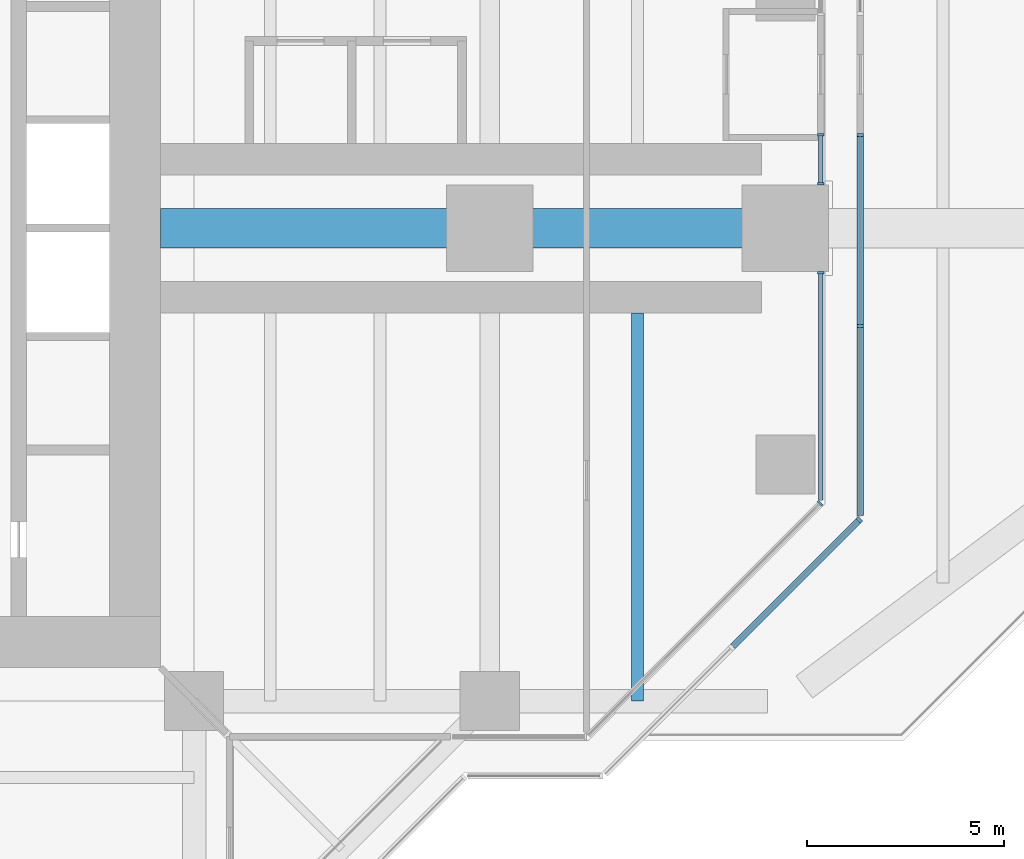
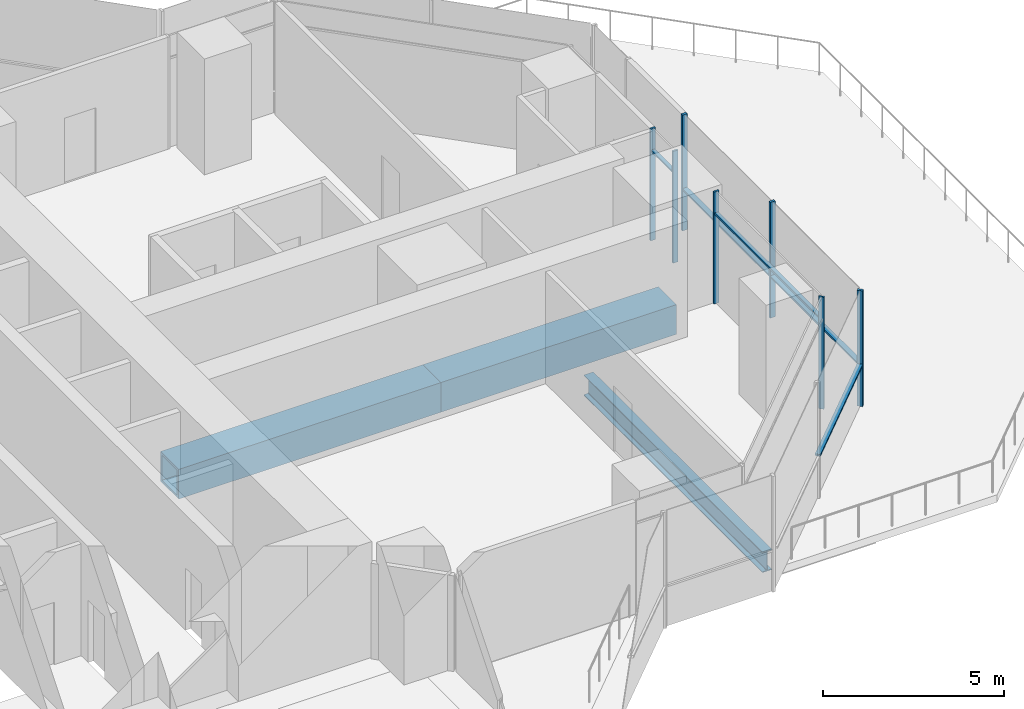
# One storey, part 6 of 19: 12 members, 3 beams, 5 elements without a shape of their own.
"""IFC4 building model written with IfcOpenShell, lengths in metres."""

from ifc_helpers import new_model, si_unit, direction, frame, origin, origin_2d, place, context, subcontext, project, spatial, rectangle, hollow_rectangle, i_section, extrude, material, material_profile, profile_set, type_object, element, aggregate, save


model = new_model("IFC4")

# Units and contexts
model_context = context("Model", 3, precision=1e-05, world=origin(), true_north=direction((0.0, 1.0)))
body_context = subcontext(model_context, "Body", "Model", "MODEL_VIEW")
ifc_project = project(units=[si_unit("LENGTHUNIT", "METRE"), si_unit("AREAUNIT", "SQUARE_METRE"), si_unit("VOLUMEUNIT", "CUBIC_METRE"), si_unit("PLANEANGLEUNIT", "RADIAN"), si_unit("MASSUNIT", "GRAM", prefix="KILO")], contexts=[model_context])

# Site, building, storey
site_placement = place(None, origin())
site = spatial("IfcSite", under=ifc_project, at=site_placement, CompositionType="ELEMENT")
building_placement = place(site_placement, origin())
building = spatial("IfcBuilding", under=site, at=building_placement, Name="Mizan Broadcast Tower", CompositionType="ELEMENT")
storey_placement = place(building_placement, frame((0.0, 0.0, 204.89990234375)))
storey = spatial("IfcBuildingStorey", under=building, at=storey_placement, Name="L47", CompositionType="ELEMENT", Elevation=204.89990234375)

# Curtain wall, member
ifc_material_1 = material(Name="Aluminium framed glazing", Category="aluminium")
curtain_wall_type_1 = type_object("IfcCurtainWallType", Name="INNER SKIN HIGH ZONE", PredefinedType="USERDEFINED", material=ifc_material_1)
curtain_wall_1_placement = place(storey_placement, origin())
curtain_wall_1 = element("IfcCurtainWall", 1, at=curtain_wall_1_placement, inside=storey, type_object=curtain_wall_type_1, Name="Inner skin high zone L47 E chamfer", ObjectType="INNER SKIN HIGH ZONE", PredefinedType="USERDEFINED")
ifc_material_2 = material(Name="Aluminium, pale anodised", Category="aluminium")
ifc_material_profile_1 = material_profile(ifc_material_2, rectangle(XDim=0.159912109375, YDim=0.06005859375, at=origin_2d()), Name="MULLION 160x60")
ifc_profile_set_1 = profile_set([ifc_material_profile_1], Name="Aluminium, pale anodised")
member_type_1 = type_object("IfcMemberType", Name="INNER SKIN MULLION 60x160", PredefinedType="MULLION", material=ifc_profile_set_1)
member_1_placement = place(storey_placement, frame((27.87890625, -6.979736328125, 0.0), z_axis=(0.0, 0.0, 1.0), x_axis=(-0.707106781187, 0.707106781187, 0.0)))
member_1 = element("IfcMember", 2, at=member_1_placement, type_object=member_type_1, Name="Inner skin high zone L47 E chamfer mullion 2", PredefinedType="MULLION", context=body_context, shape_type="SweptSolid", body=[
    extrude(rectangle(XDim=0.159912109375, YDim=0.06005859375, at=origin_2d()), origin(), (0.0, 0.0, 1.0), 3.77001953125),
])
aggregate(curtain_wall_1, [member_1])

curtain_wall_2_placement = place(storey_placement, origin())
curtain_wall_2 = element("IfcCurtainWall", 3, at=curtain_wall_2_placement, inside=storey, type_object=curtain_wall_type_1, Name="Inner skin high zone L47 E end", ObjectType="INNER SKIN HIGH ZONE", PredefinedType="USERDEFINED")
member_2_placement = place(storey_placement, frame((27.89990234375, -1.1298828125, 0.0), z_axis=(0.0, 0.0, 1.0), x_axis=(-1.0, 0.0, 0.0)))
member_2 = element("IfcMember", 4, at=member_2_placement, type_object=member_type_1, Name="Inner skin high zone L47 E end mullion 2", PredefinedType="MULLION", context=body_context, shape_type="SweptSolid", body=[
    extrude(rectangle(XDim=0.159912109375, YDim=0.06005859375, at=origin_2d()), origin(), (0.0, 0.0, 1.0), 3.77001953125),
])

# Curtain wall, members
curtain_wall_3_placement = place(storey_placement, origin())
curtain_wall_3 = element("IfcCurtainWall", 5, at=curtain_wall_3_placement, inside=storey, type_object=curtain_wall_type_1, Name="Inner skin high zone L47 E end", ObjectType="INNER SKIN HIGH ZONE", PredefinedType="USERDEFINED")
member_3_placement = place(storey_placement, frame((27.89990234375, 1.1298828125, 0.0), z_axis=(0.0, 0.0, 1.0), x_axis=(-1.0, 0.0, 0.0)))
member_3 = element("IfcMember", 6, at=member_3_placement, type_object=member_type_1, Name="Inner skin high zone L47 E end mullion 1", PredefinedType="MULLION", context=body_context, shape_type="SweptSolid", body=[
    extrude(rectangle(XDim=0.159912109375, YDim=0.06005859375, at=origin_2d()), origin(), (0.0, 0.0, 1.0), 3.77001953125),
])
member_4_placement = place(storey_placement, frame((27.89990234375, 2.3701171875, 0.0), z_axis=(0.0, 0.0, 1.0), x_axis=(-1.0, 0.0, 0.0)))
member_4 = element("IfcMember", 7, at=member_4_placement, type_object=member_type_1, Name="Inner skin high zone L47 E end mullion 2", PredefinedType="MULLION", context=body_context, shape_type="SweptSolid", body=[
    extrude(rectangle(XDim=0.159912109375, YDim=0.06005859375, at=origin_2d()), origin(), (0.0, 0.0, 1.0), 3.77001953125),
])

# Member
ifc_material_3 = material(Name="Aluminium, pale anodised", Category="aluminium")
ifc_material_profile_2 = material_profile(ifc_material_3, rectangle(XDim=0.1201171875, YDim=0.06005859375, at=origin_2d()), Name="TRANSOM 120x60")
ifc_profile_set_2 = profile_set([ifc_material_profile_2], Name="Aluminium, pale anodised")
member_type_2 = type_object("IfcMemberType", Name="INNER SKIN TRANSOM 60x120", PredefinedType="USERDEFINED", material=ifc_profile_set_2)
member_5_placement = place(storey_placement, frame((27.89990234375, -6.898681640625, 3.030029296875), z_axis=(0.0, 1.0, 0.0), x_axis=(-1.0, 0.0, 0.0)))
member_5 = element("IfcMember", 8, at=member_5_placement, type_object=member_type_2, Name="Inner skin high zone L47 E end transom 1.1", ObjectType="TRANSOM", PredefinedType="USERDEFINED", context=body_context, shape_type="SweptSolid", body=[
    extrude(rectangle(XDim=0.1201171875, YDim=0.06005859375, at=origin_2d()), origin(), (0.0, 0.0, 1.0), 5.73876953125),
])

aggregate(curtain_wall_2, [member_2, member_5])

member_6_placement = place(storey_placement, frame((27.89990234375, 1.159912109375, 3.030029296875), z_axis=(0.0, 1.0, 0.0), x_axis=(-1.0, 0.0, 0.0)))
member_6 = element("IfcMember", 9, at=member_6_placement, type_object=member_type_2, Name="Inner skin high zone L47 E end transom 1.1", ObjectType="TRANSOM", PredefinedType="USERDEFINED", context=body_context, shape_type="SweptSolid", body=[
    extrude(rectangle(XDim=0.1201171875, YDim=0.06005859375, at=origin_2d()), origin(), (0.0, 0.0, 1.0), 1.18017578125),
])

aggregate(curtain_wall_3, [member_3, member_4, member_6])

# Curtain wall, member
ifc_material_4 = material(Name="Aluminium framed glazing", Category="aluminium")
curtain_wall_type_2 = type_object("IfcCurtainWallType", Name="OUTER SKIN", PredefinedType="USERDEFINED", material=ifc_material_4)
curtain_wall_4_placement = place(storey_placement, origin())
curtain_wall_4 = element("IfcCurtainWall", 10, at=curtain_wall_4_placement, inside=storey, type_object=curtain_wall_type_2, Name="Outer skin L47 E chamfer", ObjectType="OUTER SKIN", PredefinedType="USERDEFINED")
ifc_material_5 = material(Name="Aluminium, pale anodised", Category="aluminium")
ifc_material_profile_3 = material_profile(ifc_material_5, rectangle(XDim=0.159912109375, YDim=0.080078125, at=origin_2d()), Name="MULLION 160x80")
ifc_profile_set_3 = profile_set([ifc_material_profile_3], Name="Aluminium, pale anodised")
member_type_3 = type_object("IfcMemberType", Name="OUTER SKIN MULLION 80x160", PredefinedType="MULLION", material=ifc_profile_set_3)
member_7_placement = place(storey_placement, frame((28.871826171875, -7.401123046875, 0.0), z_axis=(0.0, 0.0, 1.0), x_axis=(-0.707106781187, 0.707106781187, 0.0)))
member_7 = element("IfcMember", 11, at=member_7_placement, type_object=member_type_3, Name="Outer skin L47 E chamfer mullion 3", PredefinedType="MULLION", context=body_context, shape_type="SweptSolid", body=[
    extrude(rectangle(XDim=0.159912109375, YDim=0.080078125, at=origin_2d()), origin(), (0.0, 0.0, 1.0), 3.900146484375),
])

# Curtain wall, members
curtain_wall_5_placement = place(storey_placement, origin())
curtain_wall_5 = element("IfcCurtainWall", 12, at=curtain_wall_5_placement, inside=storey, type_object=curtain_wall_type_2, Name="Outer skin L47 E end", ObjectType="OUTER SKIN", PredefinedType="USERDEFINED")
member_8_placement = place(storey_placement, frame((28.89990234375, -2.486328125, 0.0), z_axis=(0.0, 0.0, 1.0), x_axis=(-1.0, 0.0, 0.0)))
member_8 = element("IfcMember", 13, at=member_8_placement, type_object=member_type_3, Name="Outer skin L47 E end mullion 2", PredefinedType="MULLION", context=body_context, shape_type="SweptSolid", body=[
    extrude(rectangle(XDim=0.159912109375, YDim=0.080078125, at=origin_2d()), origin(), (0.0, 0.0, 1.0), 3.900146484375),
])
member_9_placement = place(storey_placement, frame((28.89990234375, 2.360107421875, 0.0), z_axis=(0.0, 0.0, 1.0), x_axis=(-1.0, 0.0, 0.0)))
member_9 = element("IfcMember", 14, at=member_9_placement, type_object=member_type_3, Name="Outer skin L47 E end mullion 3", PredefinedType="MULLION", context=body_context, shape_type="SweptSolid", body=[
    extrude(rectangle(XDim=0.159912109375, YDim=0.080078125, at=origin_2d()), origin(), (0.0, 0.0, 1.0), 3.900146484375),
])

# Member
ifc_material_6 = material(Name="Aluminium, pale anodised", Category="aluminium")
ifc_material_profile_4 = material_profile(ifc_material_6, rectangle(XDim=0.159912109375, YDim=0.06005859375, at=origin_2d()), Name="TRANSOM 160x60")
ifc_profile_set_4 = profile_set([ifc_material_profile_4], Name="Aluminium, pale anodised")
member_type_4 = type_object("IfcMemberType", Name="OUTER SKIN TRANSOM 60x160", PredefinedType="USERDEFINED", material=ifc_profile_set_4)
member_10_placement = place(storey_placement, frame((25.664794921875, -10.608154296875, 1.400146484375), z_axis=(0.707106781187, 0.707106781187, 0.0), x_axis=(-0.707106781187, 0.707106781187, 0.0)))
member_10 = element("IfcMember", 15, at=member_10_placement, type_object=member_type_4, Name="Outer skin L47 E chamfer transom 2.1", ObjectType="TRANSOM", PredefinedType="USERDEFINED", context=body_context, shape_type="SweptSolid", body=[
    extrude(rectangle(XDim=0.159912109375, YDim=0.06005859375, at=origin_2d()), origin(), (0.0, 0.0, 1.0), 4.495361328125),
])

aggregate(curtain_wall_4, [member_7, member_10])

member_11_placement = place(storey_placement, frame((28.89990234375, -7.292724609375, 1.400146484375), z_axis=(0.0, 1.0, 0.0), x_axis=(-1.0, 0.0, 0.0)))
member_11 = element("IfcMember", 16, at=member_11_placement, type_object=member_type_4, Name="Outer skin L47 E end transom 1.1", ObjectType="TRANSOM", PredefinedType="USERDEFINED", context=body_context, shape_type="SweptSolid", body=[
    extrude(rectangle(XDim=0.159912109375, YDim=0.06005859375, at=origin_2d()), origin(), (0.0, 0.0, 1.0), 4.766357421875),
])

member_12_placement = place(storey_placement, frame((28.89990234375, -2.4462890625, 1.400146484375), z_axis=(0.0, 1.0, 0.0), x_axis=(-1.0, 0.0, 0.0)))
member_12 = element("IfcMember", 17, at=member_12_placement, type_object=member_type_4, Name="Outer skin L47 E end transom 2.1", ObjectType="TRANSOM", PredefinedType="USERDEFINED", context=body_context, shape_type="SweptSolid", body=[
    extrude(rectangle(XDim=0.159912109375, YDim=0.06005859375, at=origin_2d()), origin(), (0.0, 0.0, 1.0), 4.766357421875),
])

aggregate(curtain_wall_5, [member_8, member_9, member_11, member_12])

# Beams
ifc_material_7 = material(Name="Steel S460", Category="steel")
ifc_material_profile_5 = material_profile(ifc_material_7, hollow_rectangle(XDim=1.0, YDim=1.0, WallThickness=0.080078125, at=origin_2d()), Name="BOX 1000x1000x80")
ifc_profile_set_5 = profile_set([ifc_material_profile_5], Name="Steel S460")
beam_type_1 = type_object("IfcBeamType", Name="OUTRIGGER TRUSS OT3 CHORD BOX 1000x1000x80", PredefinedType="BEAM", material=ifc_profile_set_5)
beam_1_placement = place(storey_placement, frame((11.14990234375, 0.0, -0.6298828125), z_axis=(1.0, 0.0, 0.0), x_axis=(0.0, 1.0, 0.0)))
element("IfcBeam", 18, at=beam_1_placement, inside=storey, type_object=beam_type_1, Name="Outrigger truss OT3-E top chord 1", PredefinedType="BEAM", context=body_context, shape_type="SweptSolid", body=[
    extrude(hollow_rectangle(XDim=1.0, YDim=1.0, WallThickness=0.080078125, at=origin_2d()), origin(), (0.0, 0.0, 1.0), 8.35009765625),
])
beam_2_placement = place(storey_placement, frame((19.5, 0.0, -0.6298828125), z_axis=(1.0, 0.0, 0.0), x_axis=(0.0, 1.0, 0.0)))
element("IfcBeam", 19, at=beam_2_placement, inside=storey, type_object=beam_type_1, Name="Outrigger truss OT3-E top chord 2", PredefinedType="BEAM", context=body_context, shape_type="SweptSolid", body=[
    extrude(hollow_rectangle(XDim=1.0, YDim=1.0, WallThickness=0.080078125, at=origin_2d()), origin(), (0.0, 0.0, 1.0), 7.5),
])
ifc_material_8 = material(Name="Steel S355", Category="steel")
ifc_material_profile_6 = material_profile(ifc_material_8, i_section(OverallWidth=0.300048828125, OverallDepth=0.68994140625, WebThickness=0.014404296875, FlangeThickness=0.027099609375, FilletRadius=0.027099609375, at=origin_2d()), Name="HEA 700")
ifc_profile_set_6 = profile_set([ifc_material_profile_6], Name="Steel S355")
beam_type_2 = type_object("IfcBeamType", Name="SECONDARY BEAM HEA 700", PredefinedType="JOIST", material=ifc_profile_set_6)
beam_3_placement = place(storey_placement, frame((23.25, -12.0, -0.474853515625), z_axis=(0.0, 1.0, 0.0), x_axis=(-1.0, 0.0, 0.0)))
element("IfcBeam", 20, at=beam_3_placement, inside=storey, type_object=beam_type_2, Name="Secondary beam HEA 700 L47 east arm", PredefinedType="JOIST", context=body_context, shape_type="SweptSolid", body=[
    extrude(i_section(OverallWidth=0.300048828125, OverallDepth=0.68994140625, WebThickness=0.014404296875, FlangeThickness=0.027099609375, FilletRadius=0.027099609375, at=origin_2d()), origin(), (0.0, 0.0, 1.0), 9.85009765625),
])

save(model, "model.ifc")
